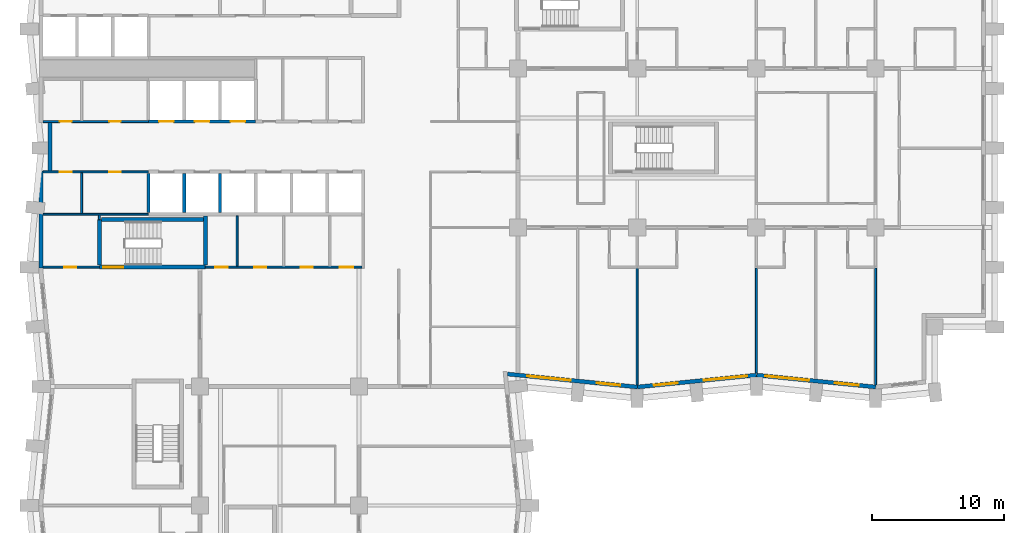
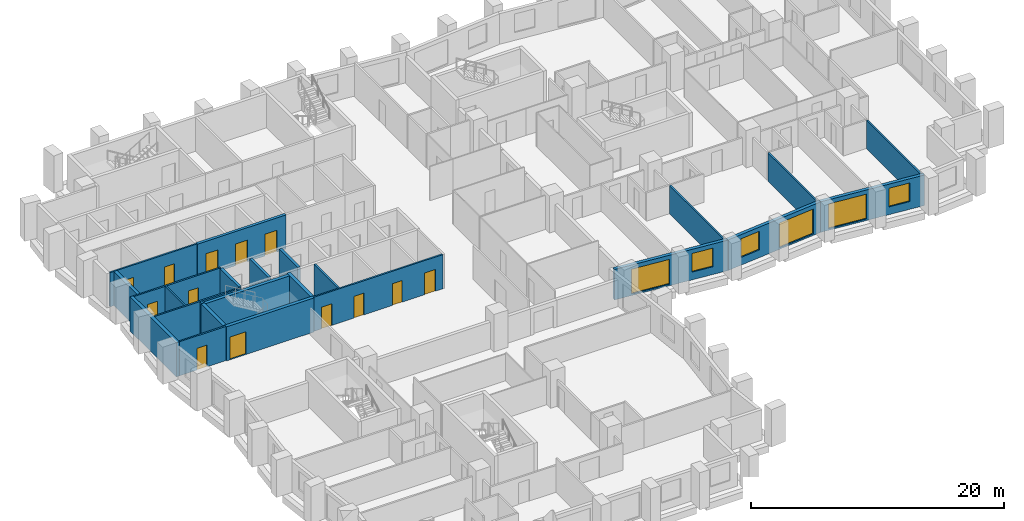
# One storey, part 5 of 13: 24 walls, 13 doors, 6 windows, 19 openings.
"""IFC4 building model written with IfcOpenShell, lengths in metres."""

from ifc_helpers import new_model, si_unit, direction, frame, frame_2d, origin, place, context, subcontext, project, spatial, rectangle, extrude, material, layer, layer_set, type_object, element, fill, save


model = new_model("IFC4")

# Units and contexts
model_context = context("Model", 3, precision=1e-05, world=origin(), true_north=direction((0.0, 1.0)))
body_context = subcontext(model_context, "Body", "Model", "MODEL_VIEW")
ifc_project = project(units=[si_unit("LENGTHUNIT", "METRE"), si_unit("AREAUNIT", "SQUARE_METRE"), si_unit("VOLUMEUNIT", "CUBIC_METRE"), si_unit("PLANEANGLEUNIT", "RADIAN"), si_unit("MASSUNIT", "GRAM", prefix="KILO")], contexts=[model_context])

# Site, building, storey
site_placement = place(None, origin())
site = spatial("IfcSite", under=ifc_project, at=site_placement, CompositionType="ELEMENT")
building_placement = place(site_placement, origin())
building = spatial("IfcBuilding", under=site, at=building_placement, Name="Brondeck Convention Tower", CompositionType="ELEMENT")
storey_placement = place(building_placement, frame((0.0, 0.0, 73.5)))
storey = spatial("IfcBuildingStorey", under=building, at=storey_placement, Name="L16", CompositionType="ELEMENT", Elevation=73.5)

# Wall, openings, doors
ifc_material_1 = material(Name="Concrete C80/95", Category="concrete")
ifc_layer_1 = layer(ifc_material_1, 0.14990234375)
ifc_layer_set_1 = layer_set([ifc_layer_1], Name="Core beam-seat wall 150 Concrete C80/95")
wall_type_1 = type_object("IfcWallType", Name="Core beam-seat wall 150 Concrete C80/95", PredefinedType="SHEAR", material=ifc_layer_set_1)
wall_1_placement = place(storey_placement, frame((12.39990234375, 36.0, 0.0), z_axis=(0.0, 0.0, 1.0), x_axis=(1.0, 0.0, 0.0)))
wall_1 = element("IfcWall", 1, at=wall_1_placement, inside=storey, type_object=wall_type_1, Name="L16 core wall", PredefinedType="SHEAR", context=body_context, shape_type="SweptSolid", body=[
    extrude(rectangle(XDim=11.8251953125, YDim=0.14990234375, at=frame_2d((5.91259765625, 0.0))), origin(), (0.0, 0.0, 1.0), 3.300048828125),
])
opening_1_placement = place(wall_1_placement, frame((0.72509765625, 0.0, 0.0)))
opening_1 = element("IfcOpeningElement", 2, at=opening_1_placement, cuts=wall_1, Name="Opening C11-03", PredefinedType="OPENING", context=body_context, shape_type="SweptSolid", body=[
    extrude(rectangle(XDim=0.949951171875, YDim=2.10009765625, at=frame_2d((0.47509765625, 1.050048828125))), frame((0.0, 0.0849609375, 0.0), z_axis=(0.0, -1.0, 0.0), x_axis=(1.0, 0.0, 0.0)), (0.0, 0.0, 1.0), 0.169921875),
])
opening_2_placement = place(wall_1_placement, frame((3.699951171875, 0.0, 0.0)))
opening_2 = element("IfcOpeningElement", 3, at=opening_2_placement, cuts=wall_1, Name="Opening C11-04", PredefinedType="OPENING", context=body_context, shape_type="SweptSolid", body=[
    extrude(rectangle(XDim=0.89990234375, YDim=2.10009765625, at=frame_2d((0.449951171875, 1.050048828125))), frame((0.0, 0.0849609375, 0.0), z_axis=(0.0, -1.0, 0.0), x_axis=(1.0, 0.0, 0.0)), (0.0, 0.0, 1.0), 0.169921875),
])
opening_3_placement = place(wall_1_placement, frame((7.199951171875, 0.0, 0.0)))
opening_3 = element("IfcOpeningElement", 4, at=opening_3_placement, cuts=wall_1, Name="Opening C11-05", PredefinedType="OPENING", context=body_context, shape_type="SweptSolid", body=[
    extrude(rectangle(XDim=0.89990234375, YDim=2.10009765625, at=frame_2d((0.449951171875, 1.050048828125))), frame((0.0, 0.0849609375, 0.0), z_axis=(0.0, -1.0, 0.0), x_axis=(1.0, 0.0, 0.0)), (0.0, 0.0, 1.0), 0.169921875),
])
opening_4_placement = place(wall_1_placement, frame((10.14990234375, 0.0, 0.0)))
opening_4 = element("IfcOpeningElement", 5, at=opening_4_placement, cuts=wall_1, Name="Opening C11-06", PredefinedType="OPENING", context=body_context, shape_type="SweptSolid", body=[
    extrude(rectangle(XDim=1.0, YDim=2.10009765625, at=frame_2d((0.5, 1.050048828125))), frame((0.0, 0.0849609375, 0.0), z_axis=(0.0, -1.0, 0.0), x_axis=(1.0, 0.0, 0.0)), (0.0, 0.0, 1.0), 0.169921875),
])
ifc_material_2 = material(Name="Steel fire door", Category="steel")
door_type_1 = type_object("IfcDoorType", Name="Room door 1000x2100 EI 60", OperationType="NOTDEFINED", PredefinedType="DOOR", material=ifc_material_2)
door_1_placement = place(opening_4_placement, origin())
door_1 = element("IfcDoor", 6, at=door_1_placement, inside=storey, type_object=door_type_1, Name="L16 Room door FR-4", OperationType="SINGLE_SWING_LEFT", OverallHeight=2.10009765625, OverallWidth=1.0, PredefinedType="DOOR", context=body_context, shape_type="SweptSolid", body=[
    extrude(rectangle(XDim=1.0, YDim=2.10009765625, at=frame_2d((0.5, 1.050048828125))), frame((0.0, 0.02490234375, 0.0), z_axis=(0.0, -1.0, 0.0), x_axis=(1.0, 0.0, 0.0)), (0.0, 0.0, 1.0), 0.050048828125),
])
fill(opening_4, door_1)
door_type_2 = type_object("IfcDoorType", Name="Room door 900x2100 EI 60", OperationType="NOTDEFINED", PredefinedType="DOOR", material=ifc_material_2)
door_2_placement = place(opening_2_placement, origin())
door_2 = element("IfcDoor", 7, at=door_2_placement, inside=storey, type_object=door_type_2, Name="L16 Room door FR-2", OperationType="SINGLE_SWING_LEFT", OverallHeight=2.10009765625, OverallWidth=0.89990234375, PredefinedType="DOOR", context=body_context, shape_type="SweptSolid", body=[
    extrude(rectangle(XDim=0.89990234375, YDim=2.10009765625, at=frame_2d((0.449951171875, 1.050048828125))), frame((0.0, 0.02490234375, 0.0), z_axis=(0.0, -1.0, 0.0), x_axis=(1.0, 0.0, 0.0)), (0.0, 0.0, 1.0), 0.050048828125),
])
fill(opening_2, door_2)
door_3_placement = place(opening_3_placement, origin())
door_3 = element("IfcDoor", 8, at=door_3_placement, inside=storey, type_object=door_type_2, Name="L16 Room door FR-3", OperationType="SINGLE_SWING_RIGHT", OverallHeight=2.10009765625, OverallWidth=0.89990234375, PredefinedType="DOOR", context=body_context, shape_type="SweptSolid", body=[
    extrude(rectangle(XDim=0.89990234375, YDim=2.10009765625, at=frame_2d((0.449951171875, 1.050048828125))), frame((0.0, 0.02490234375, 0.0), z_axis=(0.0, -1.0, 0.0), x_axis=(1.0, 0.0, 0.0)), (0.0, 0.0, 1.0), 0.050048828125),
])
fill(opening_3, door_3)
door_type_3 = type_object("IfcDoorType", Name="Room door 950x2100 EI 60", OperationType="NOTDEFINED", PredefinedType="DOOR", material=ifc_material_2)
door_4_placement = place(opening_1_placement, origin())
door_4 = element("IfcDoor", 9, at=door_4_placement, inside=storey, type_object=door_type_3, Name="L16 Room door FR-1", OperationType="SINGLE_SWING_RIGHT", OverallHeight=2.10009765625, OverallWidth=0.949951171875, PredefinedType="DOOR", context=body_context, shape_type="SweptSolid", body=[
    extrude(rectangle(XDim=0.949951171875, YDim=2.10009765625, at=frame_2d((0.47509765625, 1.050048828125))), frame((0.0, 0.02490234375, 0.0), z_axis=(0.0, -1.0, 0.0), x_axis=(1.0, 0.0, 0.0)), (0.0, 0.0, 1.0), 0.050048828125),
])
fill(opening_1, door_4)

# Walls
ifc_layer_2 = layer(ifc_material_1, 0.300048828125)
ifc_layer_set_2 = layer_set([ifc_layer_2], Name="Core outer wall 300 Concrete C80/95")
wall_type_2 = type_object("IfcWallType", Name="Core outer wall 300 Concrete C80/95", PredefinedType="SHEAR", material=ifc_layer_set_2)
wall_2_placement = place(storey_placement, frame((0.0, 35.925048828125, 0.0), z_axis=(0.0, 0.0, 1.0), x_axis=(0.0, 1.0, 0.0)))
element("IfcWall", 10, at=wall_2_placement, inside=storey, type_object=wall_type_2, Name="L16 core wall", PredefinedType="SHEAR", context=body_context, shape_type="SweptSolid", body=[
    extrude(rectangle(XDim=7.349853515625, YDim=0.300048828125, at=frame_2d((3.6748046875, 0.0))), origin(), (0.0, 0.0, 1.0), 3.300048828125),
])
wall_3_placement = place(storey_placement, frame((0.64990234375, 43.27490234375, 0.0), z_axis=(0.0, 0.0, 1.0), x_axis=(0.0, 1.0, 0.0)))
element("IfcWall", 11, at=wall_3_placement, inside=storey, type_object=wall_type_2, Name="L16 core wall", PredefinedType="SHEAR", context=body_context, shape_type="SweptSolid", body=[
    extrude(rectangle(XDim=3.650146484375, YDim=0.300048828125, at=frame_2d((1.8251953125, 0.0))), origin(), (0.0, 0.0, 1.0), 3.300048828125),
])

# Wall, opening, door
ifc_material_3 = material(Name="Fire-rated gypsum board partition")
ifc_layer_3 = layer(ifc_material_3, 0.14990234375)
ifc_layer_set_3 = layer_set([ifc_layer_3], Name="Core partition 150 EI 60")
wall_type_3 = type_object("IfcWallType", Name="Core partition 150 EI 60", PredefinedType="PARTITIONING", material=ifc_layer_set_3)
wall_4_placement = place(storey_placement, frame((0.14990234375, 36.0, 0.0), z_axis=(0.0, 0.0, 1.0), x_axis=(1.0, 0.0, 0.0)))
wall_4 = element("IfcWall", 12, at=wall_4_placement, inside=storey, type_object=wall_type_3, Name="L16 core wall", PredefinedType="PARTITIONING", context=body_context, shape_type="SweptSolid", body=[
    extrude(rectangle(XDim=4.25, YDim=0.14990234375, at=frame_2d((2.125, 0.0))), origin(), (0.0, 0.0, 1.0), 3.300048828125),
])
opening_5_placement = place(wall_4_placement, frame((1.60009765625, 0.0, 0.0)))
opening_5 = element("IfcOpeningElement", 13, at=opening_5_placement, cuts=wall_4, Name="Opening C11-07", PredefinedType="OPENING", context=body_context, shape_type="SweptSolid", body=[
    extrude(rectangle(XDim=0.89990234375, YDim=2.10009765625, at=frame_2d((0.449951171875, 1.050048828125))), frame((0.0, 0.0849609375, 0.0), z_axis=(0.0, -1.0, 0.0), x_axis=(1.0, 0.0, 0.0)), (0.0, 0.0, 1.0), 0.169921875),
])
door_5_placement = place(opening_5_placement, origin())
door_5 = element("IfcDoor", 14, at=door_5_placement, inside=storey, type_object=door_type_2, Name="L16 Room door FRW-1", OperationType="SINGLE_SWING_LEFT", OverallHeight=2.10009765625, OverallWidth=0.89990234375, PredefinedType="DOOR", context=body_context, shape_type="SweptSolid", body=[
    extrude(rectangle(XDim=0.89990234375, YDim=2.10009765625, at=frame_2d((0.449951171875, 1.050048828125))), frame((0.0, 0.02490234375, 0.0), z_axis=(0.0, -1.0, 0.0), x_axis=(1.0, 0.0, 0.0)), (0.0, 0.0, 1.0), 0.050048828125),
])
fill(opening_5, door_5)

# Wall
wall_5_placement = place(storey_placement, frame((0.14990234375, 40.0, 0.0), z_axis=(0.0, 0.0, 1.0), x_axis=(1.0, 0.0, 0.0)))
element("IfcWall", 15, at=wall_5_placement, inside=storey, type_object=wall_type_3, Name="L16 core wall", PredefinedType="PARTITIONING", context=body_context, shape_type="SweptSolid", body=[
    extrude(rectangle(XDim=7.9501953125, YDim=0.14990234375, at=frame_2d((3.97509765625, 0.0))), origin(), (0.0, 0.0, 1.0), 3.300048828125),
])

# Wall, openings, doors
wall_6_placement = place(storey_placement, frame((0.14990234375, 43.199951171875, 0.0), z_axis=(0.0, 0.0, 1.0), x_axis=(1.0, 0.0, 0.0)))
wall_6 = element("IfcWall", 16, at=wall_6_placement, inside=storey, type_object=wall_type_3, Name="L16 core wall", PredefinedType="PARTITIONING", context=body_context, shape_type="SweptSolid", body=[
    extrude(rectangle(XDim=7.9501953125, YDim=0.14990234375, at=frame_2d((3.97509765625, 0.0))), origin(), (0.0, 0.0, 1.0), 3.300048828125),
])
opening_6_placement = place(wall_6_placement, frame((1.25, 0.0, 0.0)))
opening_6 = element("IfcOpeningElement", 17, at=opening_6_placement, cuts=wall_6, Name="Opening C11-12", PredefinedType="OPENING", context=body_context, shape_type="SweptSolid", body=[
    extrude(rectangle(XDim=0.89990234375, YDim=2.10009765625, at=frame_2d((0.449951171875, 1.050048828125))), frame((0.0, 0.0849609375, 0.0), z_axis=(0.0, -1.0, 0.0), x_axis=(1.0, 0.0, 0.0)), (0.0, 0.0, 1.0), 0.169921875),
])
opening_7_placement = place(wall_6_placement, frame((4.97509765625, 0.0, 0.0)))
opening_7 = element("IfcOpeningElement", 18, at=opening_7_placement, cuts=wall_6, Name="Opening C11-13", PredefinedType="OPENING", context=body_context, shape_type="SweptSolid", body=[
    extrude(rectangle(XDim=0.89990234375, YDim=2.10009765625, at=frame_2d((0.449951171875, 1.050048828125))), frame((0.0, 0.0849609375, 0.0), z_axis=(0.0, -1.0, 0.0), x_axis=(1.0, 0.0, 0.0)), (0.0, 0.0, 1.0), 0.169921875),
])
door_6_placement = place(opening_6_placement, origin())
door_6 = element("IfcDoor", 19, at=door_6_placement, inside=storey, type_object=door_type_2, Name="L16 Room door FZ-S-0-1", OperationType="SINGLE_SWING_LEFT", OverallHeight=2.10009765625, OverallWidth=0.89990234375, PredefinedType="DOOR", context=body_context, shape_type="SweptSolid", body=[
    extrude(rectangle(XDim=0.89990234375, YDim=2.10009765625, at=frame_2d((0.449951171875, 1.050048828125))), frame((0.0, 0.02490234375, 0.0), z_axis=(0.0, -1.0, 0.0), x_axis=(1.0, 0.0, 0.0)), (0.0, 0.0, 1.0), 0.050048828125),
])
fill(opening_6, door_6)
door_7_placement = place(opening_7_placement, origin())
door_7 = element("IfcDoor", 20, at=door_7_placement, inside=storey, type_object=door_type_2, Name="L16 Room door FZ-S-0-2", OperationType="SINGLE_SWING_RIGHT", OverallHeight=2.10009765625, OverallWidth=0.89990234375, PredefinedType="DOOR", context=body_context, shape_type="SweptSolid", body=[
    extrude(rectangle(XDim=0.89990234375, YDim=2.10009765625, at=frame_2d((0.449951171875, 1.050048828125))), frame((0.0, 0.02490234375, 0.0), z_axis=(0.0, -1.0, 0.0), x_axis=(1.0, 0.0, 0.0)), (0.0, 0.0, 1.0), 0.050048828125),
])
fill(opening_7, door_7)

wall_7_placement = place(storey_placement, frame((0.14990234375, 47.0, 0.0), z_axis=(0.0, 0.0, 1.0), x_axis=(1.0, 0.0, 0.0)))
wall_7 = element("IfcWall", 21, at=wall_7_placement, inside=storey, type_object=wall_type_3, Name="L16 core wall", PredefinedType="PARTITIONING", context=body_context, shape_type="SweptSolid", body=[
    extrude(rectangle(XDim=7.9501953125, YDim=0.14990234375, at=frame_2d((3.97509765625, 0.0))), origin(), (0.0, 0.0, 1.0), 3.300048828125),
])
opening_8_placement = place(wall_7_placement, frame((1.25, 0.0, 0.0)))
opening_8 = element("IfcOpeningElement", 22, at=opening_8_placement, cuts=wall_7, Name="Opening C11-08", PredefinedType="OPENING", context=body_context, shape_type="SweptSolid", body=[
    extrude(rectangle(XDim=0.89990234375, YDim=2.10009765625, at=frame_2d((0.449951171875, 1.050048828125))), frame((0.0, 0.0849609375, 0.0), z_axis=(0.0, -1.0, 0.0), x_axis=(1.0, 0.0, 0.0)), (0.0, 0.0, 1.0), 0.169921875),
])
opening_9_placement = place(wall_7_placement, frame((4.97509765625, 0.0, 0.0)))
opening_9 = element("IfcOpeningElement", 23, at=opening_9_placement, cuts=wall_7, Name="Opening C11-09", PredefinedType="OPENING", context=body_context, shape_type="SweptSolid", body=[
    extrude(rectangle(XDim=0.89990234375, YDim=2.10009765625, at=frame_2d((0.449951171875, 1.050048828125))), frame((0.0, 0.0849609375, 0.0), z_axis=(0.0, -1.0, 0.0), x_axis=(1.0, 0.0, 0.0)), (0.0, 0.0, 1.0), 0.169921875),
])
door_8_placement = place(opening_8_placement, origin())
door_8 = element("IfcDoor", 24, at=door_8_placement, inside=storey, type_object=door_type_2, Name="L16 Room door FZ-N-0-1", OperationType="SINGLE_SWING_RIGHT", OverallHeight=2.10009765625, OverallWidth=0.89990234375, PredefinedType="DOOR", context=body_context, shape_type="SweptSolid", body=[
    extrude(rectangle(XDim=0.89990234375, YDim=2.10009765625, at=frame_2d((0.449951171875, 1.050048828125))), frame((0.0, 0.02490234375, 0.0), z_axis=(0.0, -1.0, 0.0), x_axis=(1.0, 0.0, 0.0)), (0.0, 0.0, 1.0), 0.050048828125),
])
fill(opening_8, door_8)
door_9_placement = place(opening_9_placement, origin())
door_9 = element("IfcDoor", 25, at=door_9_placement, inside=storey, type_object=door_type_2, Name="L16 Room door FZ-N-0-2", OperationType="SINGLE_SWING_LEFT", OverallHeight=2.10009765625, OverallWidth=0.89990234375, PredefinedType="DOOR", context=body_context, shape_type="SweptSolid", body=[
    extrude(rectangle(XDim=0.89990234375, YDim=2.10009765625, at=frame_2d((0.449951171875, 1.050048828125))), frame((0.0, 0.02490234375, 0.0), z_axis=(0.0, -1.0, 0.0), x_axis=(1.0, 0.0, 0.0)), (0.0, 0.0, 1.0), 0.050048828125),
])
fill(opening_9, door_9)

# Walls
wall_8_placement = place(storey_placement, frame((3.050048828125, 40.074951171875, 0.0), z_axis=(0.0, 0.0, 1.0), x_axis=(0.0, 1.0, 0.0)))
element("IfcWall", 26, at=wall_8_placement, inside=storey, type_object=wall_type_3, Name="L16 core wall", PredefinedType="PARTITIONING", context=body_context, shape_type="SweptSolid", body=[
    extrude(rectangle(XDim=3.050048828125, YDim=0.14990234375, at=frame_2d((1.52490234375, 0.0))), origin(), (0.0, 0.0, 1.0), 3.300048828125),
])
wall_9_placement = place(storey_placement, frame((4.39990234375, 39.60009765625, 0.0), z_axis=(0.0, 0.0, 1.0), x_axis=(0.0, 1.0, 0.0)))
element("IfcWall", 27, at=wall_9_placement, inside=storey, type_object=wall_type_3, Name="L16 core wall", PredefinedType="PARTITIONING", context=body_context, shape_type="SweptSolid", body=[
    extrude(rectangle(XDim=0.324951171875, YDim=0.14990234375, at=frame_2d((0.16259765625, 0.0))), origin(), (0.0, 0.0, 1.0), 3.300048828125),
])
wall_10_placement = place(storey_placement, frame((14.800048828125, 36.074951171875, 0.0), z_axis=(0.0, 0.0, 1.0), x_axis=(0.0, 1.0, 0.0)))
element("IfcWall", 28, at=wall_10_placement, inside=storey, type_object=wall_type_3, Name="L16 core wall", PredefinedType="PARTITIONING", context=body_context, shape_type="SweptSolid", body=[
    extrude(rectangle(XDim=3.800048828125, YDim=0.14990234375, at=frame_2d((1.89990234375, 0.0))), origin(), (0.0, 0.0, 1.0), 3.300048828125),
])

# Wall, openings, windows
ifc_material_4 = material(Name="Precast concrete C50/60 bronze finish", Category="concrete")
ifc_layer_4 = layer(ifc_material_4, 0.070068359375, Name="Bronze precast facing")
ifc_material_5 = material(Name="Mineral wool")
ifc_layer_5 = layer(ifc_material_5, 0.159912109375, Name="Insulation")
ifc_material_6 = material(Name="Concrete C35/45", Category="concrete")
ifc_layer_6 = layer(ifc_material_6, 0.070068359375, Name="Backing")
ifc_layer_set_4 = layer_set([ifc_layer_4, ifc_layer_5, ifc_layer_6], Name="External infill wall, precast concrete C50/60 bronze facing")
wall_type_4 = type_object("IfcWallType", Name="External infill wall, precast concrete C50/60 bronze facing", PredefinedType="SOLIDWALL", material=ifc_layer_set_4)
wall_11_placement = place(storey_placement, frame((45.014892578125, 26.95263671875, 0.0), z_axis=(0.0, 0.0, 1.0), x_axis=(-0.995036699177, 0.099508629231, 0.0)))
wall_11 = element("IfcWall", 29, at=wall_11_placement, inside=storey, type_object=wall_type_4, Name="ENV-EW-L16-P0-A-S-00", PredefinedType="SOLIDWALL", context=body_context, shape_type="SweptSolid", body=[
    extrude(rectangle(XDim=9.845703125, YDim=0.300048828125, at=frame_2d((4.9228515625, 0.0))), origin(), (0.0, 0.0, 1.0), 2.949951171875),
])
opening_10_placement = place(wall_11_placement, frame((1.291259765625, 0.0, 0.75)))
opening_10 = element("IfcOpeningElement", 30, at=opening_10_placement, cuts=wall_11, Name="Opening W10", PredefinedType="OPENING", context=body_context, shape_type="SweptSolid", body=[
    extrude(rectangle(XDim=1.800048828125, YDim=1.800048828125, at=frame_2d((0.89990234375, 0.89990234375))), frame((0.0, 0.159912109375, 0.0), z_axis=(0.0, -1.0, 0.0), x_axis=(1.0, 0.0, 0.0)), (0.0, 0.0, 1.0), 0.320068359375),
])
opening_11_placement = place(wall_11_placement, frame((5.063720703125, 0.0, 0.14990234375)))
opening_11 = element("IfcOpeningElement", 31, at=opening_11_placement, cuts=wall_11, Name="Opening W9", PredefinedType="OPENING", context=body_context, shape_type="SweptSolid", body=[
    extrude(rectangle(XDim=3.300048828125, YDim=2.39990234375, at=frame_2d((1.64990234375, 1.199951171875))), frame((0.0, 0.159912109375, 0.0), z_axis=(0.0, -1.0, 0.0), x_axis=(1.0, 0.0, 0.0)), (0.0, 0.0, 1.0), 0.320068359375),
])
ifc_material_7 = material(Name="Bronze tinted double glazing", Category="glass")
window_type_1 = type_object("IfcWindowType", Name="Glazed flute window, bronze tinted", PartitioningType="SINGLE_PANEL", PredefinedType="WINDOW", material=ifc_material_7)
window_1_placement = place(opening_11_placement, origin())
window_1 = element("IfcWindow", 32, at=window_1_placement, inside=storey, type_object=window_type_1, Name="ENV-WN-L16-P0-A-S-00", OverallHeight=2.39990234375, OverallWidth=3.300048828125, PartitioningType="SINGLE_PANEL", PredefinedType="WINDOW", context=body_context, shape_type="SweptSolid", body=[
    extrude(rectangle(XDim=3.300048828125, YDim=2.39990234375, at=frame_2d((1.64990234375, 1.199951171875))), frame((0.0, 0.030029296875, 0.0), z_axis=(0.0, -1.0, 0.0), x_axis=(1.0, 0.0, 0.0)), (0.0, 0.0, 1.0), 0.06005859375),
])
fill(opening_11, window_1)
window_type_2 = type_object("IfcWindowType", Name="Punched window, bronze tinted", PartitioningType="SINGLE_PANEL", PredefinedType="WINDOW", material=ifc_material_7)
window_2_placement = place(opening_10_placement, origin())
window_2 = element("IfcWindow", 33, at=window_2_placement, inside=storey, type_object=window_type_2, Name="ENV-WN-L16-P0-A-S-01", OverallHeight=1.800048828125, OverallWidth=1.800048828125, PartitioningType="SINGLE_PANEL", PredefinedType="WINDOW", context=body_context, shape_type="SweptSolid", body=[
    extrude(rectangle(XDim=1.800048828125, YDim=1.800048828125, at=frame_2d((0.89990234375, 0.89990234375))), frame((0.0, 0.030029296875, 0.0), z_axis=(0.0, -1.0, 0.0), x_axis=(1.0, 0.0, 0.0)), (0.0, 0.0, 1.0), 0.06005859375),
])
fill(opening_10, window_2)

wall_12_placement = place(storey_placement, frame((54.014892578125, 27.855712890625, 0.0), z_axis=(0.0, 0.0, 1.0), x_axis=(-0.995037993253, -0.099495688264, 0.0)))
wall_12 = element("IfcWall", 34, at=wall_12_placement, inside=storey, type_object=wall_type_4, Name="ENV-EW-L16-P0-A-S-02", PredefinedType="SOLIDWALL", context=body_context, shape_type="SweptSolid", body=[
    extrude(rectangle(XDim=9.030029296875, YDim=0.300048828125, at=frame_2d((4.51513671875, 0.0))), origin(), (0.0, 0.0, 1.0), 2.949951171875),
])
opening_12_placement = place(wall_12_placement, frame((0.711181640625, 0.0, 0.14990234375)))
opening_12 = element("IfcOpeningElement", 35, at=opening_12_placement, cuts=wall_12, Name="Opening W9", PredefinedType="OPENING", context=body_context, shape_type="SweptSolid", body=[
    extrude(rectangle(XDim=3.300048828125, YDim=2.39990234375, at=frame_2d((1.64990234375, 1.199951171875))), frame((0.0, 0.159912109375, 0.0), z_axis=(0.0, -1.0, 0.0), x_axis=(1.0, 0.0, 0.0)), (0.0, 0.0, 1.0), 0.320068359375),
])
opening_13_placement = place(wall_12_placement, frame((5.983642578125, 0.0, 0.75)))
opening_13 = element("IfcOpeningElement", 36, at=opening_13_placement, cuts=wall_12, Name="Opening W10", PredefinedType="OPENING", context=body_context, shape_type="SweptSolid", body=[
    extrude(rectangle(XDim=1.800048828125, YDim=1.800048828125, at=frame_2d((0.89990234375, 0.89990234375))), frame((0.0, 0.159912109375, 0.0), z_axis=(0.0, -1.0, 0.0), x_axis=(1.0, 0.0, 0.0)), (0.0, 0.0, 1.0), 0.320068359375),
])
window_3_placement = place(opening_12_placement, origin())
window_3 = element("IfcWindow", 37, at=window_3_placement, inside=storey, type_object=window_type_1, Name="ENV-WN-L16-P0-A-S-03", OverallHeight=2.39990234375, OverallWidth=3.300048828125, PartitioningType="SINGLE_PANEL", PredefinedType="WINDOW", context=body_context, shape_type="SweptSolid", body=[
    extrude(rectangle(XDim=3.300048828125, YDim=2.39990234375, at=frame_2d((1.64990234375, 1.199951171875))), frame((0.0, 0.030029296875, 0.0), z_axis=(0.0, -1.0, 0.0), x_axis=(1.0, 0.0, 0.0)), (0.0, 0.0, 1.0), 0.06005859375),
])
fill(opening_12, window_3)
window_4_placement = place(opening_13_placement, origin())
window_4 = element("IfcWindow", 38, at=window_4_placement, inside=storey, type_object=window_type_2, Name="ENV-WN-L16-P0-A-S-02", OverallHeight=1.800048828125, OverallWidth=1.800048828125, PartitioningType="SINGLE_PANEL", PredefinedType="WINDOW", context=body_context, shape_type="SweptSolid", body=[
    extrude(rectangle(XDim=1.800048828125, YDim=1.800048828125, at=frame_2d((0.89990234375, 0.89990234375))), frame((0.0, 0.030029296875, 0.0), z_axis=(0.0, -1.0, 0.0), x_axis=(1.0, 0.0, 0.0)), (0.0, 0.0, 1.0), 0.06005859375),
])
fill(opening_13, window_4)

wall_13_placement = place(storey_placement, frame((63.014892578125, 26.95263671875, 0.0), z_axis=(0.0, 0.0, 1.0), x_axis=(-0.995035316196, 0.099522457379, 0.0)))
wall_13 = element("IfcWall", 39, at=wall_13_placement, inside=storey, type_object=wall_type_4, Name="ENV-EW-L16-P0-A-S-04", PredefinedType="SOLIDWALL", context=body_context, shape_type="SweptSolid", body=[
    extrude(rectangle(XDim=9.030029296875, YDim=0.300048828125, at=frame_2d((4.51513671875, 0.0))), origin(), (0.0, 0.0, 1.0), 2.949951171875),
])
opening_14_placement = place(wall_13_placement, frame((1.291259765625, 0.0, 0.75)))
opening_14 = element("IfcOpeningElement", 40, at=opening_14_placement, cuts=wall_13, Name="Opening W10", PredefinedType="OPENING", context=body_context, shape_type="SweptSolid", body=[
    extrude(rectangle(XDim=1.800048828125, YDim=1.800048828125, at=frame_2d((0.89990234375, 0.89990234375))), frame((0.0, 0.159912109375, 0.0), z_axis=(0.0, -1.0, 0.0), x_axis=(1.0, 0.0, 0.0)), (0.0, 0.0, 1.0), 0.320068359375),
])
opening_15_placement = place(wall_13_placement, frame((5.063720703125, 0.0, 0.14990234375)))
opening_15 = element("IfcOpeningElement", 41, at=opening_15_placement, cuts=wall_13, Name="Opening W9", PredefinedType="OPENING", context=body_context, shape_type="SweptSolid", body=[
    extrude(rectangle(XDim=3.300048828125, YDim=2.39990234375, at=frame_2d((1.64990234375, 1.199951171875))), frame((0.0, 0.159912109375, 0.0), z_axis=(0.0, -1.0, 0.0), x_axis=(1.0, 0.0, 0.0)), (0.0, 0.0, 1.0), 0.320068359375),
])
window_5_placement = place(opening_15_placement, origin())
window_5 = element("IfcWindow", 42, at=window_5_placement, inside=storey, type_object=window_type_1, Name="ENV-WN-L16-P0-A-S-04", OverallHeight=2.39990234375, OverallWidth=3.300048828125, PartitioningType="SINGLE_PANEL", PredefinedType="WINDOW", context=body_context, shape_type="SweptSolid", body=[
    extrude(rectangle(XDim=3.300048828125, YDim=2.39990234375, at=frame_2d((1.64990234375, 1.199951171875))), frame((0.0, 0.030029296875, 0.0), z_axis=(0.0, -1.0, 0.0), x_axis=(1.0, 0.0, 0.0)), (0.0, 0.0, 1.0), 0.06005859375),
])
fill(opening_15, window_5)
window_6_placement = place(opening_14_placement, origin())
window_6 = element("IfcWindow", 43, at=window_6_placement, inside=storey, type_object=window_type_2, Name="ENV-WN-L16-P0-A-S-05", OverallHeight=1.800048828125, OverallWidth=1.800048828125, PartitioningType="SINGLE_PANEL", PredefinedType="WINDOW", context=body_context, shape_type="SweptSolid", body=[
    extrude(rectangle(XDim=1.800048828125, YDim=1.800048828125, at=frame_2d((0.89990234375, 0.89990234375))), frame((0.0, 0.030029296875, 0.0), z_axis=(0.0, -1.0, 0.0), x_axis=(1.0, 0.0, 0.0)), (0.0, 0.0, 1.0), 0.06005859375),
])
fill(opening_14, window_6)

# Walls
ifc_material_8 = material(Name="Double gypsum board acoustic wall")
ifc_layer_7 = layer(ifc_material_8, 0.14990234375)
ifc_layer_set_5 = layer_set([ifc_layer_7], Name="Guest room party wall 150")
wall_type_5 = type_object("IfcWallType", Name="Guest room party wall 150", PredefinedType="PARTITIONING", material=ifc_layer_set_5)
wall_14_placement = place(storey_placement, frame((45.0, 35.925048828125, 0.0), z_axis=(0.0, 0.0, 1.0), x_axis=(0.0, -1.0, 0.0)))
element("IfcWall", 44, at=wall_14_placement, inside=storey, type_object=wall_type_5, Name="FLR-L16-W044", PredefinedType="PARTITIONING", context=body_context, shape_type="SweptSolid", body=[
    extrude(rectangle(XDim=8.800048828125, YDim=0.14990234375, at=frame_2d((4.39990234375, 0.0))), origin(), (0.0, 0.0, 1.0), 2.72998046875),
])
wall_15_placement = place(storey_placement, frame((54.0, 35.925048828125, 0.0), z_axis=(0.0, 0.0, 1.0), x_axis=(0.0, -1.0, 0.0)))
element("IfcWall", 45, at=wall_15_placement, inside=storey, type_object=wall_type_5, Name="FLR-L16-W045", PredefinedType="PARTITIONING", context=body_context, shape_type="SweptSolid", body=[
    extrude(rectangle(XDim=7.900146484375, YDim=0.14990234375, at=frame_2d((3.9501953125, 0.0))), origin(), (0.0, 0.0, 1.0), 2.72998046875),
])
wall_16_placement = place(storey_placement, frame((63.0, 35.925048828125, 0.0), z_axis=(0.0, 0.0, 1.0), x_axis=(0.0, -1.0, 0.0)))
element("IfcWall", 46, at=wall_16_placement, inside=storey, type_object=wall_type_5, Name="FLR-L16-W046", PredefinedType="PARTITIONING", context=body_context, shape_type="SweptSolid", body=[
    extrude(rectangle(XDim=8.800048828125, YDim=0.14990234375, at=frame_2d((4.39990234375, 0.0))), origin(), (0.0, 0.0, 1.0), 2.72998046875),
])

# Wall, openings, doors
ifc_layer_8 = layer(ifc_material_1, 0.25)
ifc_layer_set_6 = layer_set([ifc_layer_8], Name="Lift shaft wall 250 Concrete C80/95")
wall_type_6 = type_object("IfcWallType", Name="Lift shaft wall 250 Concrete C80/95", PredefinedType="SHEAR", material=ifc_layer_set_6)
wall_17_placement = place(storey_placement, frame((8.10009765625, 47.0, 0.0), z_axis=(0.0, 0.0, 1.0), x_axis=(1.0, 0.0, 0.0)))
wall_17 = element("IfcWall", 47, at=wall_17_placement, inside=storey, type_object=wall_type_6, Name="L16 core wall", PredefinedType="SHEAR", context=body_context, shape_type="SweptSolid", body=[
    extrude(rectangle(XDim=8.099853515625, YDim=0.25, at=frame_2d((4.0498046875, 0.0))), origin(), (0.0, 0.0, 1.0), 3.300048828125),
])
opening_16_placement = place(wall_17_placement, frame((0.800048828125, 0.0, 0.0)))
opening_16 = element("IfcOpeningElement", 48, at=opening_16_placement, cuts=wall_17, Name="Opening C11-30", PredefinedType="OPENING", context=body_context, shape_type="SweptSolid", body=[
    extrude(rectangle(XDim=1.10009765625, YDim=2.10009765625, at=frame_2d((0.550048828125, 1.050048828125))), frame((0.0, 0.135009765625, 0.0), z_axis=(0.0, -1.0, 0.0), x_axis=(1.0, 0.0, 0.0)), (0.0, 0.0, 1.0), 0.27001953125),
])
opening_17_placement = place(wall_17_placement, frame((3.5, 0.0, 0.0)))
opening_17 = element("IfcOpeningElement", 49, at=opening_17_placement, cuts=wall_17, Name="Opening C11-31", PredefinedType="OPENING", context=body_context, shape_type="SweptSolid", body=[
    extrude(rectangle(XDim=1.10009765625, YDim=2.10009765625, at=frame_2d((0.550048828125, 1.050048828125))), frame((0.0, 0.135009765625, 0.0), z_axis=(0.0, -1.0, 0.0), x_axis=(1.0, 0.0, 0.0)), (0.0, 0.0, 1.0), 0.27001953125),
])
opening_18_placement = place(wall_17_placement, frame((6.199951171875, 0.0, 0.0)))
opening_18 = element("IfcOpeningElement", 50, at=opening_18_placement, cuts=wall_17, Name="Opening C11-32", PredefinedType="OPENING", context=body_context, shape_type="SweptSolid", body=[
    extrude(rectangle(XDim=1.10009765625, YDim=2.10009765625, at=frame_2d((0.550048828125, 1.050048828125))), frame((0.0, 0.135009765625, 0.0), z_axis=(0.0, -1.0, 0.0), x_axis=(1.0, 0.0, 0.0)), (0.0, 0.0, 1.0), 0.27001953125),
])
ifc_material_9 = material(Name="Stainless steel lift door", Category="steel")
door_type_4 = type_object("IfcDoorType", Name="Lift landing door 1100x2100 EI 180", OperationType="DOUBLE_DOOR_SLIDING", PredefinedType="DOOR", material=ifc_material_9)
door_10_placement = place(opening_16_placement, origin())
door_10 = element("IfcDoor", 51, at=door_10_placement, inside=storey, type_object=door_type_4, Name="L16 Lift landing door LR4", OperationType="DOUBLE_DOOR_SLIDING", OverallHeight=2.10009765625, OverallWidth=1.10009765625, PredefinedType="DOOR", context=body_context, shape_type="SweptSolid", body=[
    extrude(rectangle(XDim=1.10009765625, YDim=2.10009765625, at=frame_2d((0.550048828125, 1.050048828125))), frame((0.0, 0.02490234375, 0.0), z_axis=(0.0, -1.0, 0.0), x_axis=(1.0, 0.0, 0.0)), (0.0, 0.0, 1.0), 0.050048828125),
])
fill(opening_16, door_10)
door_11_placement = place(opening_17_placement, origin())
door_11 = element("IfcDoor", 52, at=door_11_placement, inside=storey, type_object=door_type_4, Name="L16 Lift landing door LR5", OperationType="DOUBLE_DOOR_SLIDING", OverallHeight=2.10009765625, OverallWidth=1.10009765625, PredefinedType="DOOR", context=body_context, shape_type="SweptSolid", body=[
    extrude(rectangle(XDim=1.10009765625, YDim=2.10009765625, at=frame_2d((0.550048828125, 1.050048828125))), frame((0.0, 0.02490234375, 0.0), z_axis=(0.0, -1.0, 0.0), x_axis=(1.0, 0.0, 0.0)), (0.0, 0.0, 1.0), 0.050048828125),
])
fill(opening_17, door_11)
door_12_placement = place(opening_18_placement, origin())
door_12 = element("IfcDoor", 53, at=door_12_placement, inside=storey, type_object=door_type_4, Name="L16 Lift landing door LR6", OperationType="DOUBLE_DOOR_SLIDING", OverallHeight=2.10009765625, OverallWidth=1.10009765625, PredefinedType="DOOR", context=body_context, shape_type="SweptSolid", body=[
    extrude(rectangle(XDim=1.10009765625, YDim=2.10009765625, at=frame_2d((0.550048828125, 1.050048828125))), frame((0.0, 0.02490234375, 0.0), z_axis=(0.0, -1.0, 0.0), x_axis=(1.0, 0.0, 0.0)), (0.0, 0.0, 1.0), 0.050048828125),
])
fill(opening_18, door_12)

# Walls
for number, where, z_axis, x_axis, name in (
    (54, (8.10009765625, 40.125, 0.0), (0.0, 0.0, 1.0), (0.0, 1.0, 0.0), "L16 core wall"),
    (55, (10.800048828125, 40.125, 0.0), (0.0, 0.0, 1.0), (0.0, 1.0, 0.0), "L16 core wall"),
    (56, (13.5, 40.125, 0.0), (0.0, 0.0, 1.0), (0.0, 1.0, 0.0), "L16 core wall"),
):
    element("IfcWall", number, at=place(storey_placement, frame(where, z_axis=z_axis, x_axis=x_axis)), inside=storey, type_object=wall_type_6, Name=name, PredefinedType="SHEAR", context=body_context, shape_type="SweptSolid", body=[
        extrude(rectangle(XDim=2.949951171875, YDim=0.25, at=frame_2d((1.47509765625, 0.0))), origin(), (0.0, 0.0, 1.0), 3.300048828125),
    ])

# Wall, opening, door
ifc_layer_9 = layer(ifc_material_1, 0.300048828125)
ifc_layer_set_7 = layer_set([ifc_layer_9], Name="Stair enclosure wall 300 Concrete C80/95")
wall_type_7 = type_object("IfcWallType", Name="Stair enclosure wall 300 Concrete C80/95", PredefinedType="SHEAR", material=ifc_layer_set_7)
wall_18_placement = place(storey_placement, frame((4.39990234375, 36.0, 0.0), z_axis=(0.0, 0.0, 1.0), x_axis=(1.0, 0.0, 0.0)))
wall_18 = element("IfcWall", 57, at=wall_18_placement, inside=storey, type_object=wall_type_7, Name="L16 core wall", PredefinedType="SHEAR", context=body_context, shape_type="SweptSolid", body=[
    extrude(rectangle(XDim=8.0, YDim=0.300048828125, at=frame_2d((4.0, 0.0))), origin(), (0.0, 0.0, 1.0), 3.300048828125),
])
opening_19_placement = place(wall_18_placement, frame((0.300048828125, 0.0, 0.0)))
opening_19 = element("IfcOpeningElement", 58, at=opening_19_placement, cuts=wall_18, Name="Opening C11-16", PredefinedType="OPENING", context=body_context, shape_type="SweptSolid", body=[
    extrude(rectangle(XDim=1.5, YDim=2.199951171875, at=frame_2d((0.75, 1.10009765625))), frame((0.0, 0.159912109375, 0.0), z_axis=(0.0, -1.0, 0.0), x_axis=(1.0, 0.0, 0.0)), (0.0, 0.0, 1.0), 0.320068359375),
])
door_type_5 = type_object("IfcDoorType", Name="Stair door 1500x2200 EI 90", OperationType="NOTDEFINED", PredefinedType="DOOR", material=ifc_material_2)
door_13_placement = place(opening_19_placement, origin())
door_13 = element("IfcDoor", 59, at=door_13_placement, inside=storey, type_object=door_type_5, Name="L16 Stair door ST-1", OperationType="SINGLE_SWING_RIGHT", OverallHeight=2.199951171875, OverallWidth=1.5, PredefinedType="DOOR", context=body_context, shape_type="SweptSolid", body=[
    extrude(rectangle(XDim=1.5, YDim=2.199951171875, at=frame_2d((0.75, 1.10009765625))), frame((0.0, 0.02490234375, 0.0), z_axis=(0.0, -1.0, 0.0), x_axis=(1.0, 0.0, 0.0)), (0.0, 0.0, 1.0), 0.050048828125),
])
fill(opening_19, door_13)

# Walls
wall_19_placement = place(storey_placement, frame((4.550048828125, 39.60009765625, 0.0), z_axis=(0.0, 0.0, 1.0), x_axis=(1.0, 0.0, 0.0)))
element("IfcWall", 60, at=wall_19_placement, inside=storey, type_object=wall_type_7, Name="L16 core wall", PredefinedType="SHEAR", context=body_context, shape_type="SweptSolid", body=[
    extrude(rectangle(XDim=7.699951171875, YDim=0.300048828125, at=frame_2d((3.85009765625, 0.0))), origin(), (0.0, 0.0, 1.0), 3.300048828125),
])
wall_20_placement = place(storey_placement, frame((4.39990234375, 36.14990234375, 0.0), z_axis=(0.0, 0.0, 1.0), x_axis=(0.0, 1.0, 0.0)))
element("IfcWall", 61, at=wall_20_placement, inside=storey, type_object=wall_type_7, Name="L16 core wall", PredefinedType="SHEAR", context=body_context, shape_type="SweptSolid", body=[
    extrude(rectangle(XDim=3.4501953125, YDim=0.300048828125, at=frame_2d((1.72509765625, 0.0))), origin(), (0.0, 0.0, 1.0), 3.300048828125),
])
wall_21_placement = place(storey_placement, frame((12.39990234375, 36.14990234375, 0.0), z_axis=(0.0, 0.0, 1.0), x_axis=(0.0, 1.0, 0.0)))
element("IfcWall", 62, at=wall_21_placement, inside=storey, type_object=wall_type_7, Name="L16 core wall", PredefinedType="SHEAR", context=body_context, shape_type="SweptSolid", body=[
    extrude(rectangle(XDim=3.72509765625, YDim=0.300048828125, at=frame_2d((1.862548828125, 0.0))), origin(), (0.0, 0.0, 1.0), 3.300048828125),
])

save(model, "model.ifc")
